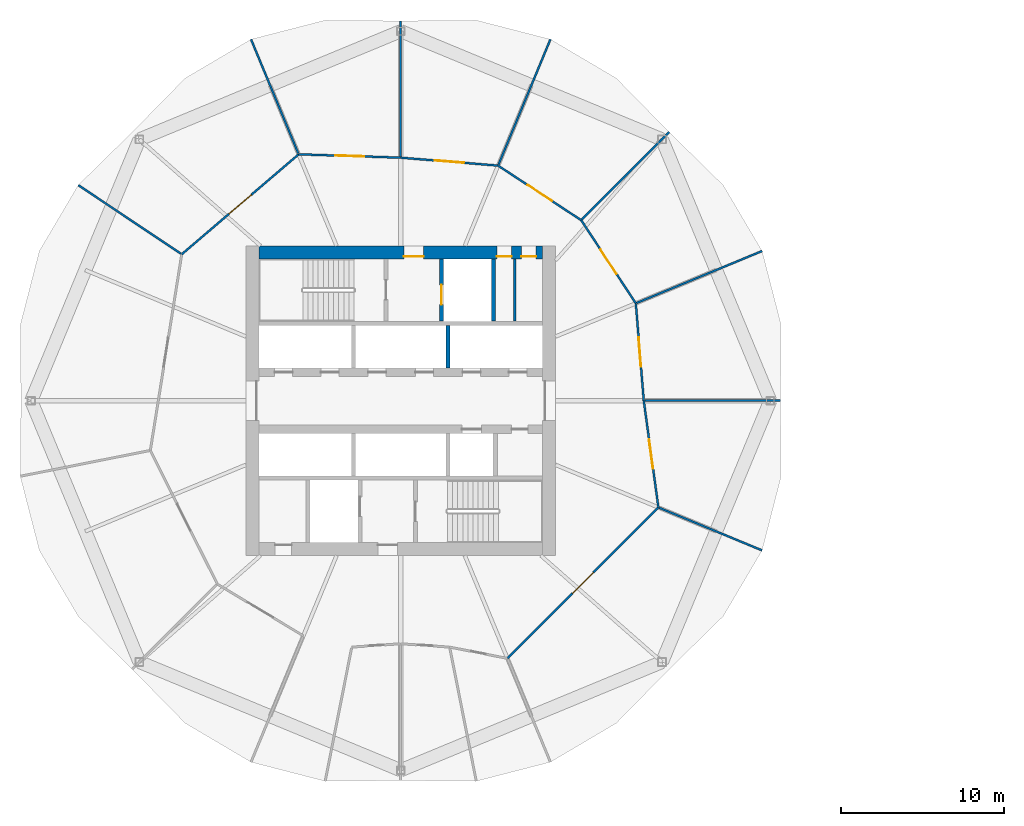
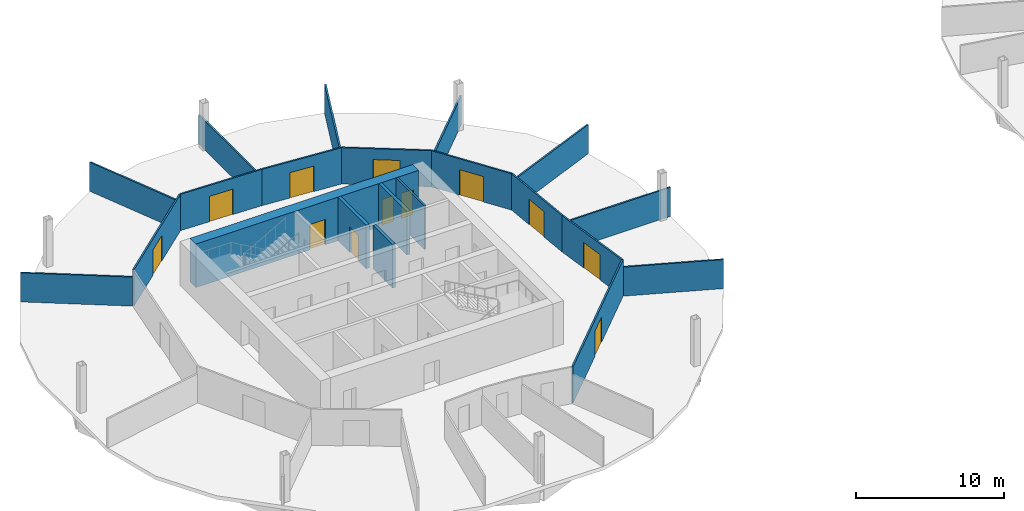
# One storey, part 5 of 9: 21 walls, 12 doors, 12 openings.
"""IFC4 building model written with IfcOpenShell, lengths in metres."""

from ifc_helpers import new_model, si_unit, direction, frame, frame_2d, origin, place, context, subcontext, project, spatial, rectangle, extrude, material, layer, layer_set, type_object, element, fill, save


model = new_model("IFC4")

# Units and contexts
model_context = context("Model", 3, precision=1e-05, world=origin(), true_north=direction((0.0, 1.0)))
body_context = subcontext(model_context, "Body", "Model", "MODEL_VIEW")
ifc_project = project(units=[si_unit("LENGTHUNIT", "METRE"), si_unit("AREAUNIT", "SQUARE_METRE"), si_unit("VOLUMEUNIT", "CUBIC_METRE"), si_unit("PLANEANGLEUNIT", "RADIAN"), si_unit("MASSUNIT", "GRAM", prefix="KILO")], contexts=[model_context])

# Site, building, storey
site_placement = place(None, origin())
site = spatial("IfcSite", under=ifc_project, at=site_placement, CompositionType="ELEMENT")
building_placement = place(site_placement, origin())
building = spatial("IfcBuilding", under=site, at=building_placement, Name="Ogive Gate Towers", CompositionType="ELEMENT")
storey_placement = place(building_placement, frame((0.0, 0.0, 80.10009765625)))
storey = spatial("IfcBuildingStorey", under=building, at=storey_placement, Name="L18", CompositionType="ELEMENT", Elevation=80.10009765625)

# Wall, openings, doors
ifc_material_1 = material(Name="Concrete C60/75", Category="concrete")
ifc_layer_1 = layer(ifc_material_1, 0.800048828125)
ifc_layer_set_1 = layer_set([ifc_layer_1], Name="Core wall 800 mm")
wall_type_1 = type_object("IfcWallType", Name="Core wall 800 mm", PredefinedType="SHEAR", material=ifc_layer_set_1)
wall_1_placement = place(storey_placement, frame((-44.699951171875, 9.10009765625, 0.0), z_axis=(0.0, 0.0, 1.0), x_axis=(1.0, 0.0, 0.0)))
wall_1 = element("IfcWall", 1, at=wall_1_placement, inside=storey, type_object=wall_type_1, Name="T1 L18 Core wall 800 mm", PredefinedType="SHEAR", context=body_context, shape_type="SweptSolid", body=[
    extrude(rectangle(XDim=17.39990234375, YDim=0.800048828125, at=frame_2d((8.699951171875, 0.0))), origin(), (0.0, 0.0, 1.0), 3.599853515625),
])
opening_1_placement = place(wall_1_placement, frame((8.89990234375, 0.0, 0.0)))
opening_1 = element("IfcOpeningElement", 2, at=opening_1_placement, cuts=wall_1, Name="Opening KD-T1-L18-15", PredefinedType="OPENING", context=body_context, shape_type="SweptSolid", body=[
    extrude(rectangle(XDim=1.199951171875, YDim=2.10009765625, at=frame_2d((0.60009765625, 1.050048828125))), frame((0.0, 0.41015625, 0.0), z_axis=(0.0, -1.0, 0.0), x_axis=(1.0, 0.0, 0.0)), (0.0, 0.0, 1.0), 0.820068359375),
])
opening_2_placement = place(wall_1_placement, frame((14.60009765625, 0.0, 0.0)))
opening_2 = element("IfcOpeningElement", 3, at=opening_2_placement, cuts=wall_1, Name="Opening KD-T1-L18-17", PredefinedType="OPENING", context=body_context, shape_type="SweptSolid", body=[
    extrude(rectangle(XDim=0.89990234375, YDim=2.10009765625, at=frame_2d((0.449951171875, 1.050048828125))), frame((0.0, 0.41015625, 0.0), z_axis=(0.0, -1.0, 0.0), x_axis=(1.0, 0.0, 0.0)), (0.0, 0.0, 1.0), 0.820068359375),
])
opening_3_placement = place(wall_1_placement, frame((16.10009765625, 0.0, 0.0)))
opening_3 = element("IfcOpeningElement", 4, at=opening_3_placement, cuts=wall_1, Name="Opening KD-T1-L18-18", PredefinedType="OPENING", context=body_context, shape_type="SweptSolid", body=[
    extrude(rectangle(XDim=0.89990234375, YDim=2.10009765625, at=frame_2d((0.449951171875, 1.050048828125))), frame((0.0, 0.41015625, 0.0), z_axis=(0.0, -1.0, 0.0), x_axis=(1.0, 0.0, 0.0)), (0.0, 0.0, 1.0), 0.820068359375),
])
ifc_material_2 = material(Name="Timber door", Category="wood")
door_type_1 = type_object("IfcDoorType", Name="Core WC door 900 x 2100", OperationType="NOTDEFINED", PredefinedType="DOOR", material=ifc_material_2)
door_1_placement = place(opening_2_placement, origin())
door_1 = element("IfcDoor", 5, at=door_1_placement, inside=storey, type_object=door_type_1, Name="T1 L18 Core door", OperationType="SINGLE_SWING_RIGHT", OverallHeight=2.10009765625, OverallWidth=0.89990234375, PredefinedType="DOOR", context=body_context, shape_type="SweptSolid", body=[
    extrude(rectangle(XDim=0.89990234375, YDim=2.10009765625, at=frame_2d((0.449951171875, 1.050048828125))), frame((0.0, -0.22509765625, 0.0), z_axis=(0.0, -1.0, 0.0), x_axis=(1.0, 0.0, 0.0)), (0.0, 0.0, 1.0), 0.050048828125),
])
fill(opening_2, door_1)
door_2_placement = place(opening_3_placement, origin())
door_2 = element("IfcDoor", 6, at=door_2_placement, inside=storey, type_object=door_type_1, Name="T1 L18 Core door", OperationType="SINGLE_SWING_LEFT", OverallHeight=2.10009765625, OverallWidth=0.89990234375, PredefinedType="DOOR", context=body_context, shape_type="SweptSolid", body=[
    extrude(rectangle(XDim=0.89990234375, YDim=2.10009765625, at=frame_2d((0.449951171875, 1.050048828125))), frame((0.0, -0.22509765625, 0.0), z_axis=(0.0, -1.0, 0.0), x_axis=(1.0, 0.0, 0.0)), (0.0, 0.0, 1.0), 0.050048828125),
])
fill(opening_3, door_2)
ifc_material_3 = material(Name="Steel fire door", Category="steel")
door_type_2 = type_object("IfcDoorType", Name="Core door FD60S 1200 x 2100", OperationType="NOTDEFINED", PredefinedType="DOOR", material=ifc_material_3)
door_3_placement = place(opening_1_placement, origin())
door_3 = element("IfcDoor", 7, at=door_3_placement, inside=storey, type_object=door_type_2, Name="T1 L18 Fire-fighting lobby door", OperationType="SINGLE_SWING_RIGHT", OverallHeight=2.10009765625, OverallWidth=1.199951171875, PredefinedType="DOOR", context=body_context, shape_type="SweptSolid", body=[
    extrude(rectangle(XDim=1.199951171875, YDim=2.10009765625, at=frame_2d((0.60009765625, 1.050048828125))), frame((0.0, -0.22509765625, 0.0), z_axis=(0.0, -1.0, 0.0), x_axis=(1.0, 0.0, 0.0)), (0.0, 0.0, 1.0), 0.050048828125),
])
fill(opening_1, door_3)

# Walls
ifc_material_4 = material(Name="Gypsum board partition")
ifc_layer_2 = layer(ifc_material_4, 0.125)
ifc_layer_set_2 = layer_set([ifc_layer_2], Name="Partition 125")
wall_type_2 = type_object("IfcWallType", Name="Partition 125", PredefinedType="PARTITIONING", material=ifc_layer_set_2)
wall_2_placement = place(storey_placement, frame((-12.700927734375, 0.0, 0.0), z_axis=(0.0, 0.0, 1.0), x_axis=(-1.0, 0.0, 0.0)))
element("IfcWall", 8, at=wall_2_placement, inside=storey, type_object=wall_type_2, Name="Partition T1-L18-001", PredefinedType="PARTITIONING", context=body_context, shape_type="SweptSolid", body=[
    extrude(rectangle(XDim=8.32666015625, YDim=0.125, at=frame_2d((4.163330078125, 0.0))), origin(), (0.0, 0.0, 1.0), 2.39990234375),
])
wall_3_placement = place(storey_placement, frame((-13.826904296875, 9.184326171875, 0.0), z_axis=(0.0, 0.0, 1.0), x_axis=(-0.92388425068, -0.3826720415, 0.0)))
element("IfcWall", 9, at=wall_3_placement, inside=storey, type_object=wall_type_2, Name="Partition T1-L18-002", PredefinedType="PARTITIONING", context=body_context, shape_type="SweptSolid", body=[
    extrude(rectangle(XDim=8.326416015625, YDim=0.125, at=frame_2d((4.1630859375, 0.0))), origin(), (0.0, 0.0, 1.0), 2.39990234375),
])
wall_4_placement = place(storey_placement, frame((-19.525146484375, 16.474853515625, 0.0), z_axis=(0.0, 0.0, 1.0), x_axis=(-0.707106781187, -0.707106781187, 0.0)))
element("IfcWall", 10, at=wall_4_placement, inside=storey, type_object=wall_type_2, Name="Partition T1-L18-003", PredefinedType="PARTITIONING", context=body_context, shape_type="SweptSolid", body=[
    extrude(rectangle(XDim=7.57666015625, YDim=0.125, at=frame_2d((3.788330078125, 0.0))), origin(), (0.0, 0.0, 1.0), 2.39990234375),
])
wall_5_placement = place(storey_placement, frame((-26.815673828125, 22.173095703125, 0.0), z_axis=(0.0, 0.0, 1.0), x_axis=(-0.3826720415, -0.92388425068, 0.0)))
element("IfcWall", 11, at=wall_5_placement, inside=storey, type_object=wall_type_2, Name="Partition T1-L18-004", PredefinedType="PARTITIONING", context=body_context, shape_type="SweptSolid", body=[
    extrude(rectangle(XDim=8.326416015625, YDim=0.125, at=frame_2d((4.1630859375, 0.0))), origin(), (0.0, 0.0, 1.0), 2.39990234375),
])
wall_6_placement = place(storey_placement, frame((-36.0, 23.299072265625, 0.0), z_axis=(0.0, 0.0, 1.0), x_axis=(0.0, -1.0, 0.0)))
element("IfcWall", 12, at=wall_6_placement, inside=storey, type_object=wall_type_2, Name="Partition T1-L18-005", PredefinedType="PARTITIONING", context=body_context, shape_type="SweptSolid", body=[
    extrude(rectangle(XDim=8.32666015625, YDim=0.125, at=frame_2d((4.163330078125, 0.0))), origin(), (0.0, 0.0, 1.0), 2.39990234375),
])
for number, where, z_axis, x_axis, name in (
    (13, (-45.184326171875, 22.173095703125, 0.0), (0.0, 0.0, 1.0), (0.382685713945, -0.923878587447, 0.0), "Partition T1-L18-006"),
    (14, (-55.784423828125, 13.228515625, 0.0), (0.0, 0.0, 1.0), (0.831300960788, -0.555822554951, 0.0), "Partition T1-L18-007"),
):
    element("IfcWall", number, at=place(storey_placement, frame(where, z_axis=z_axis, x_axis=x_axis)), inside=storey, type_object=wall_type_2, Name=name, PredefinedType="PARTITIONING", context=body_context, shape_type="SweptSolid", body=[
        extrude(rectangle(XDim=7.576416015625, YDim=0.125, at=frame_2d((3.7880859375, 0.0))), origin(), (0.0, 0.0, 1.0), 2.39990234375),
    ])
wall_7_placement = place(storey_placement, frame((-13.826904296875, -9.184326171875, 0.0), z_axis=(0.0, 0.0, 1.0), x_axis=(-0.923884324115, 0.382671864206, 0.0)))
element("IfcWall", 15, at=wall_7_placement, inside=storey, type_object=wall_type_2, Name="Partition T1-L18-015", PredefinedType="PARTITIONING", context=body_context, shape_type="SweptSolid", body=[
    extrude(rectangle(XDim=6.826416015625, YDim=0.125, at=frame_2d((3.4130859375, 0.0))), origin(), (0.0, 0.0, 1.0), 2.39990234375),
])

# Wall, opening, door
wall_8_placement = place(storey_placement, frame((-29.451904296875, -15.80859375, 0.0), z_axis=(0.0, 0.0, 1.0), x_axis=(0.707106781187, 0.707106781187, 0.0)))
wall_8 = element("IfcWall", 16, at=wall_8_placement, inside=storey, type_object=wall_type_2, Name="Partition T1-L18-019", PredefinedType="PARTITIONING", context=body_context, shape_type="SweptSolid", body=[
    extrude(rectangle(XDim=13.096435546875, YDim=0.125, at=frame_2d((6.54833984375, 0.0))), origin(), (0.0, 0.0, 1.0), 3.0),
])
opening_4_placement = place(wall_8_placement, frame((5.64794921875, 0.0, 0.0)))
opening_4 = element("IfcOpeningElement", 17, at=opening_4_placement, cuts=wall_8, Name="Opening T1-L18-D04", PredefinedType="OPENING", context=body_context, shape_type="SweptSolid", body=[
    extrude(rectangle(XDim=1.800048828125, YDim=2.10009765625, at=frame_2d((0.89990234375, 1.050048828125))), frame((0.0, 0.072509765625, 0.0), z_axis=(0.0, -1.0, 0.0), x_axis=(1.0, 0.0, 0.0)), (0.0, 0.0, 1.0), 0.14501953125),
])
door_type_3 = type_object("IfcDoorType", Name="Door pair 1800", OperationType="NOTDEFINED", PredefinedType="DOOR", material=ifc_material_2)
door_4_placement = place(opening_4_placement, origin())
door_4 = element("IfcDoor", 18, at=door_4_placement, inside=storey, type_object=door_type_3, Name="Door T1-L18-D04", OperationType="DOUBLE_DOOR_DOUBLE_SWING", OverallHeight=2.10009765625, OverallWidth=1.800048828125, PredefinedType="DOOR", context=body_context, shape_type="SweptSolid", body=[
    extrude(rectangle(XDim=1.800048828125, YDim=2.10009765625, at=frame_2d((0.89990234375, 1.050048828125))), frame((0.0, 0.02490234375, 0.0), z_axis=(0.0, -1.0, 0.0), x_axis=(1.0, 0.0, 0.0)), (0.0, 0.0, 1.0), 0.050048828125),
])
fill(opening_4, door_4)

wall_9_placement = place(storey_placement, frame((-20.19140625, -6.548095703125, 0.0), z_axis=(0.0, 0.0, 1.0), x_axis=(-0.135968646616, 0.990713140691, 0.0)))
wall_9 = element("IfcWall", 19, at=wall_9_placement, inside=storey, type_object=wall_type_2, Name="Partition T1-L18-020", PredefinedType="PARTITIONING", context=body_context, shape_type="SweptSolid", body=[
    extrude(rectangle(XDim=6.609375, YDim=0.125, at=frame_2d((3.3046875, 0.0))), origin(), (0.0, 0.0, 1.0), 3.0),
])
opening_5_placement = place(wall_9_placement, frame((2.405029296875, 0.0, 0.0)))
opening_5 = element("IfcOpeningElement", 20, at=opening_5_placement, cuts=wall_9, Name="Opening T1-L18-D05", PredefinedType="OPENING", context=body_context, shape_type="SweptSolid", body=[
    extrude(rectangle(XDim=1.800048828125, YDim=2.10009765625, at=frame_2d((0.89990234375, 1.050048828125))), frame((0.0, 0.072509765625, 0.0), z_axis=(0.0, -1.0, 0.0), x_axis=(1.0, 0.0, 0.0)), (0.0, 0.0, 1.0), 0.14501953125),
])
door_5_placement = place(opening_5_placement, origin())
door_5 = element("IfcDoor", 21, at=door_5_placement, inside=storey, type_object=door_type_3, Name="Door T1-L18-D05", OperationType="DOUBLE_DOOR_DOUBLE_SWING", OverallHeight=2.10009765625, OverallWidth=1.800048828125, PredefinedType="DOOR", context=body_context, shape_type="SweptSolid", body=[
    extrude(rectangle(XDim=1.800048828125, YDim=2.10009765625, at=frame_2d((0.89990234375, 1.050048828125))), frame((0.0, 0.02490234375, 0.0), z_axis=(0.0, -1.0, 0.0), x_axis=(1.0, 0.0, 0.0)), (0.0, 0.0, 1.0), 0.050048828125),
])
fill(opening_5, door_5)

wall_10_placement = place(storey_placement, frame((-21.090087890625, 0.0, 0.0), z_axis=(0.0, 0.0, 1.0), x_axis=(-0.081299252747, 0.99668973683, 0.0)))
wall_10 = element("IfcWall", 22, at=wall_10_placement, inside=storey, type_object=wall_type_2, Name="Partition T1-L18-021", PredefinedType="PARTITIONING", context=body_context, shape_type="SweptSolid", body=[
    extrude(rectangle(XDim=5.993896484375, YDim=0.125, at=frame_2d((2.9970703125, 0.0))), origin(), (0.0, 0.0, 1.0), 3.0),
])
opening_6_placement = place(wall_10_placement, frame((2.096923828125, 0.0, 0.0)))
opening_6 = element("IfcOpeningElement", 23, at=opening_6_placement, cuts=wall_10, Name="Opening T1-L18-D06", PredefinedType="OPENING", context=body_context, shape_type="SweptSolid", body=[
    extrude(rectangle(XDim=1.800048828125, YDim=2.10009765625, at=frame_2d((0.89990234375, 1.050048828125))), frame((0.0, 0.072509765625, 0.0), z_axis=(0.0, -1.0, 0.0), x_axis=(1.0, 0.0, 0.0)), (0.0, 0.0, 1.0), 0.14501953125),
])
door_6_placement = place(opening_6_placement, origin())
door_6 = element("IfcDoor", 24, at=door_6_placement, inside=storey, type_object=door_type_3, Name="Door T1-L18-D06", OperationType="DOUBLE_DOOR_DOUBLE_SWING", OverallHeight=2.10009765625, OverallWidth=1.800048828125, PredefinedType="DOOR", context=body_context, shape_type="SweptSolid", body=[
    extrude(rectangle(XDim=1.800048828125, YDim=2.10009765625, at=frame_2d((0.89990234375, 1.050048828125))), frame((0.0, 0.02490234375, 0.0), z_axis=(0.0, -1.0, 0.0), x_axis=(1.0, 0.0, 0.0)), (0.0, 0.0, 1.0), 0.050048828125),
])
fill(opening_6, door_6)

wall_11_placement = place(storey_placement, frame((-21.577392578125, 5.97412109375, 0.0), z_axis=(0.0, 0.0, 1.0), x_axis=(-0.549007787117, 0.835817234618, 0.0)))
wall_11 = element("IfcWall", 25, at=wall_11_placement, inside=storey, type_object=wall_type_2, Name="Partition T1-L18-022", PredefinedType="PARTITIONING", context=body_context, shape_type="SweptSolid", body=[
    extrude(rectangle(XDim=6.100830078125, YDim=0.125, at=frame_2d((3.05029296875, 0.0))), origin(), (0.0, 0.0, 1.0), 3.0),
])
opening_7_placement = place(wall_11_placement, frame((2.14990234375, 0.0, 0.0)))
opening_7 = element("IfcOpeningElement", 26, at=opening_7_placement, cuts=wall_11, Name="Opening T1-L18-D07", PredefinedType="OPENING", context=body_context, shape_type="SweptSolid", body=[
    extrude(rectangle(XDim=1.800048828125, YDim=2.10009765625, at=frame_2d((0.89990234375, 1.050048828125))), frame((0.0, 0.072509765625, 0.0), z_axis=(0.0, -1.0, 0.0), x_axis=(1.0, 0.0, 0.0)), (0.0, 0.0, 1.0), 0.14501953125),
])
door_7_placement = place(opening_7_placement, origin())
door_7 = element("IfcDoor", 27, at=door_7_placement, inside=storey, type_object=door_type_3, Name="Door T1-L18-D07", OperationType="DOUBLE_DOOR_DOUBLE_SWING", OverallHeight=2.10009765625, OverallWidth=1.800048828125, PredefinedType="DOOR", context=body_context, shape_type="SweptSolid", body=[
    extrude(rectangle(XDim=1.800048828125, YDim=2.10009765625, at=frame_2d((0.89990234375, 1.050048828125))), frame((0.0, 0.02490234375, 0.0), z_axis=(0.0, -1.0, 0.0), x_axis=(1.0, 0.0, 0.0)), (0.0, 0.0, 1.0), 0.050048828125),
])
fill(opening_7, door_7)

wall_12_placement = place(storey_placement, frame((-24.9267578125, 11.0732421875, 0.0), z_axis=(0.0, 0.0, 1.0), x_axis=(-0.835817234618, 0.549007787117, 0.0)))
wall_12 = element("IfcWall", 28, at=wall_12_placement, inside=storey, type_object=wall_type_2, Name="Partition T1-L18-023", PredefinedType="PARTITIONING", context=body_context, shape_type="SweptSolid", body=[
    extrude(rectangle(XDim=6.100830078125, YDim=0.125, at=frame_2d((3.05029296875, 0.0))), origin(), (0.0, 0.0, 1.0), 3.0),
])
opening_8_placement = place(wall_12_placement, frame((2.14990234375, 0.0, 0.0)))
opening_8 = element("IfcOpeningElement", 29, at=opening_8_placement, cuts=wall_12, Name="Opening T1-L18-D08", PredefinedType="OPENING", context=body_context, shape_type="SweptSolid", body=[
    extrude(rectangle(XDim=1.800048828125, YDim=2.10009765625, at=frame_2d((0.89990234375, 1.050048828125))), frame((0.0, 0.072509765625, 0.0), z_axis=(0.0, -1.0, 0.0), x_axis=(1.0, 0.0, 0.0)), (0.0, 0.0, 1.0), 0.14501953125),
])
door_8_placement = place(opening_8_placement, origin())
door_8 = element("IfcDoor", 30, at=door_8_placement, inside=storey, type_object=door_type_3, Name="Door T1-L18-D08", OperationType="DOUBLE_DOOR_DOUBLE_SWING", OverallHeight=2.10009765625, OverallWidth=1.800048828125, PredefinedType="DOOR", context=body_context, shape_type="SweptSolid", body=[
    extrude(rectangle(XDim=1.800048828125, YDim=2.10009765625, at=frame_2d((0.89990234375, 1.050048828125))), frame((0.0, 0.02490234375, 0.0), z_axis=(0.0, -1.0, 0.0), x_axis=(1.0, 0.0, 0.0)), (0.0, 0.0, 1.0), 0.050048828125),
])
fill(opening_8, door_8)

wall_13_placement = place(storey_placement, frame((-30.02587890625, 14.422607421875, 0.0), z_axis=(0.0, 0.0, 1.0), x_axis=(-0.99668973683, 0.081299252747, 0.0)))
wall_13 = element("IfcWall", 31, at=wall_13_placement, inside=storey, type_object=wall_type_2, Name="Partition T1-L18-024", PredefinedType="PARTITIONING", context=body_context, shape_type="SweptSolid", body=[
    extrude(rectangle(XDim=5.993896484375, YDim=0.125, at=frame_2d((2.9970703125, 0.0))), origin(), (0.0, 0.0, 1.0), 3.0),
])
opening_9_placement = place(wall_13_placement, frame((2.096923828125, 0.0, 0.0)))
opening_9 = element("IfcOpeningElement", 32, at=opening_9_placement, cuts=wall_13, Name="Opening T1-L18-D09", PredefinedType="OPENING", context=body_context, shape_type="SweptSolid", body=[
    extrude(rectangle(XDim=1.800048828125, YDim=2.10009765625, at=frame_2d((0.89990234375, 1.050048828125))), frame((0.0, 0.072509765625, 0.0), z_axis=(0.0, -1.0, 0.0), x_axis=(1.0, 0.0, 0.0)), (0.0, 0.0, 1.0), 0.14501953125),
])
door_9_placement = place(opening_9_placement, origin())
door_9 = element("IfcDoor", 33, at=door_9_placement, inside=storey, type_object=door_type_3, Name="Door T1-L18-D09", OperationType="DOUBLE_DOOR_DOUBLE_SWING", OverallHeight=2.10009765625, OverallWidth=1.800048828125, PredefinedType="DOOR", context=body_context, shape_type="SweptSolid", body=[
    extrude(rectangle(XDim=1.800048828125, YDim=2.10009765625, at=frame_2d((0.89990234375, 1.050048828125))), frame((0.0, 0.02490234375, 0.0), z_axis=(0.0, -1.0, 0.0), x_axis=(1.0, 0.0, 0.0)), (0.0, 0.0, 1.0), 0.050048828125),
])
fill(opening_9, door_9)

wall_14_placement = place(storey_placement, frame((-36.0, 14.909912109375, 0.0), z_axis=(0.0, 0.0, 1.0), x_axis=(-0.999461435371, 0.032815228254, 0.0)))
wall_14 = element("IfcWall", 34, at=wall_14_placement, inside=storey, type_object=wall_type_2, Name="Partition T1-L18-025", PredefinedType="PARTITIONING", context=body_context, shape_type="SweptSolid", body=[
    extrude(rectangle(XDim=6.264404296875, YDim=0.125, at=frame_2d((3.13232421875, 0.0))), origin(), (0.0, 0.0, 1.0), 3.0),
])
opening_10_placement = place(wall_14_placement, frame((2.23193359375, 0.0, 0.0)))
opening_10 = element("IfcOpeningElement", 35, at=opening_10_placement, cuts=wall_14, Name="Opening T1-L18-D10", PredefinedType="OPENING", context=body_context, shape_type="SweptSolid", body=[
    extrude(rectangle(XDim=1.800048828125, YDim=2.10009765625, at=frame_2d((0.89990234375, 1.050048828125))), frame((0.0, 0.072509765625, 0.0), z_axis=(0.0, -1.0, 0.0), x_axis=(1.0, 0.0, 0.0)), (0.0, 0.0, 1.0), 0.14501953125),
])
door_10_placement = place(opening_10_placement, origin())
door_10 = element("IfcDoor", 36, at=door_10_placement, inside=storey, type_object=door_type_3, Name="Door T1-L18-D10", OperationType="DOUBLE_DOOR_DOUBLE_SWING", OverallHeight=2.10009765625, OverallWidth=1.800048828125, PredefinedType="DOOR", context=body_context, shape_type="SweptSolid", body=[
    extrude(rectangle(XDim=1.800048828125, YDim=2.10009765625, at=frame_2d((0.89990234375, 1.050048828125))), frame((0.0, 0.02490234375, 0.0), z_axis=(0.0, -1.0, 0.0), x_axis=(1.0, 0.0, 0.0)), (0.0, 0.0, 1.0), 0.050048828125),
])
fill(opening_10, door_10)

wall_15_placement = place(storey_placement, frame((-42.260986328125, 15.115478515625, 0.0), z_axis=(0.0, 0.0, 1.0), x_axis=(-0.760070439114, -0.649840694005, 0.0)))
wall_15 = element("IfcWall", 37, at=wall_15_placement, inside=storey, type_object=wall_type_2, Name="Partition T1-L18-026", PredefinedType="PARTITIONING", context=body_context, shape_type="SweptSolid", body=[
    extrude(rectangle(XDim=9.4375, YDim=0.125, at=frame_2d((4.71875, 0.0))), origin(), (0.0, 0.0, 1.0), 3.0),
])
opening_11_placement = place(wall_15_placement, frame((3.819091796875, 0.0, 0.0)))
opening_11 = element("IfcOpeningElement", 38, at=opening_11_placement, cuts=wall_15, Name="Opening T1-L18-D11", PredefinedType="OPENING", context=body_context, shape_type="SweptSolid", body=[
    extrude(rectangle(XDim=1.800048828125, YDim=2.10009765625, at=frame_2d((0.89990234375, 1.050048828125))), frame((0.0, 0.072509765625, 0.0), z_axis=(0.0, -1.0, 0.0), x_axis=(1.0, 0.0, 0.0)), (0.0, 0.0, 1.0), 0.14501953125),
])
door_11_placement = place(opening_11_placement, origin())
door_11 = element("IfcDoor", 39, at=door_11_placement, inside=storey, type_object=door_type_3, Name="Door T1-L18-D11", OperationType="DOUBLE_DOOR_DOUBLE_SWING", OverallHeight=2.10009765625, OverallWidth=1.800048828125, PredefinedType="DOOR", context=body_context, shape_type="SweptSolid", body=[
    extrude(rectangle(XDim=1.800048828125, YDim=2.10009765625, at=frame_2d((0.89990234375, 1.050048828125))), frame((0.0, 0.02490234375, 0.0), z_axis=(0.0, -1.0, 0.0), x_axis=(1.0, 0.0, 0.0)), (0.0, 0.0, 1.0), 0.050048828125),
])
fill(opening_11, door_11)

# Wall
ifc_layer_3 = layer(ifc_material_4, 0.14990234375)
ifc_layer_set_3 = layer_set([ifc_layer_3], Name="Room partition 150 mm")
wall_type_3 = type_object("IfcWallType", Name="Room partition 150 mm", PredefinedType="PARTITIONING", material=ifc_layer_set_3)
wall_16_placement = place(storey_placement, frame((-29.0, 4.875, 0.0), z_axis=(0.0, 0.0, 1.0), x_axis=(0.0, 1.0, 0.0)))
element("IfcWall", 40, at=wall_16_placement, inside=storey, type_object=wall_type_3, Name="T1 L18 Room partition 150 mm", PredefinedType="PARTITIONING", context=body_context, shape_type="SweptSolid", body=[
    extrude(rectangle(XDim=3.824951171875, YDim=0.14990234375, at=frame_2d((1.91259765625, 0.0))), origin(), (0.0, 0.0, 1.0), 3.599853515625),
])

# Wall, opening, door
ifc_layer_4 = layer(ifc_material_1, 0.25)
ifc_layer_set_4 = layer_set([ifc_layer_4], Name="Shaft wall 250 mm")
wall_type_4 = type_object("IfcWallType", Name="Shaft wall 250 mm", PredefinedType="SHEAR", material=ifc_layer_set_4)
wall_17_placement = place(storey_placement, frame((-33.5, 4.875, 0.0), z_axis=(0.0, 0.0, 1.0), x_axis=(0.0, 1.0, 0.0)))
wall_17 = element("IfcWall", 41, at=wall_17_placement, inside=storey, type_object=wall_type_4, Name="T1 L18 Shaft wall 250 mm", PredefinedType="SHEAR", context=body_context, shape_type="SweptSolid", body=[
    extrude(rectangle(XDim=3.824951171875, YDim=0.25, at=frame_2d((1.91259765625, 0.0))), origin(), (0.0, 0.0, 1.0), 3.599853515625),
])
opening_12_placement = place(wall_17_placement, frame((1.02490234375, 0.0, 0.0)))
opening_12 = element("IfcOpeningElement", 42, at=opening_12_placement, cuts=wall_17, Name="Opening LD-T1-L18-10", PredefinedType="OPENING", context=body_context, shape_type="SweptSolid", body=[
    extrude(rectangle(XDim=1.199951171875, YDim=2.10009765625, at=frame_2d((0.60009765625, 1.050048828125))), frame((0.0, 0.135009765625, 0.0), z_axis=(0.0, -1.0, 0.0), x_axis=(1.0, 0.0, 0.0)), (0.0, 0.0, 1.0), 0.27001953125),
])
ifc_material_5 = material(Name="Stainless steel landing door", Category="steel")
door_type_4 = type_object("IfcDoorType", Name="Landing door 1200 x 2100", OperationType="SLIDING_TO_LEFT", PredefinedType="DOOR", material=ifc_material_5)
door_12_placement = place(opening_12_placement, origin())
door_12 = element("IfcDoor", 43, at=door_12_placement, inside=storey, type_object=door_type_4, Name="T1 L18 Lift landing door FF1", OperationType="SLIDING_TO_LEFT", OverallHeight=2.10009765625, OverallWidth=1.199951171875, PredefinedType="DOOR", context=body_context, shape_type="SweptSolid", body=[
    extrude(rectangle(XDim=1.199951171875, YDim=2.10009765625, at=frame_2d((0.60009765625, 1.050048828125))), frame((0.0, 0.02490234375, 0.0), z_axis=(0.0, -1.0, 0.0), x_axis=(1.0, 0.0, 0.0)), (0.0, 0.0, 1.0), 0.050048828125),
])
fill(opening_12, door_12)

# Walls
wall_18_placement = place(storey_placement, frame((-33.10009765625, 2.0, 0.0), z_axis=(0.0, 0.0, 1.0), x_axis=(0.0, 1.0, 0.0)))
element("IfcWall", 44, at=wall_18_placement, inside=storey, type_object=wall_type_4, Name="T1 L18 Shaft wall 250 mm", PredefinedType="SHEAR", context=body_context, shape_type="SweptSolid", body=[
    extrude(rectangle(XDim=2.625, YDim=0.25, at=frame_2d((1.3125, 0.0))), origin(), (0.0, 0.0, 1.0), 3.599853515625),
])
wall_19_placement = place(storey_placement, frame((-30.300048828125, 4.875, 0.0), z_axis=(0.0, 0.0, 1.0), x_axis=(0.0, 1.0, 0.0)))
element("IfcWall", 45, at=wall_19_placement, inside=storey, type_object=wall_type_4, Name="T1 L18 Shaft wall 250 mm", PredefinedType="SHEAR", context=body_context, shape_type="SweptSolid", body=[
    extrude(rectangle(XDim=3.824951171875, YDim=0.25, at=frame_2d((1.91259765625, 0.0))), origin(), (0.0, 0.0, 1.0), 3.599853515625),
])

save(model, "model.ifc")
